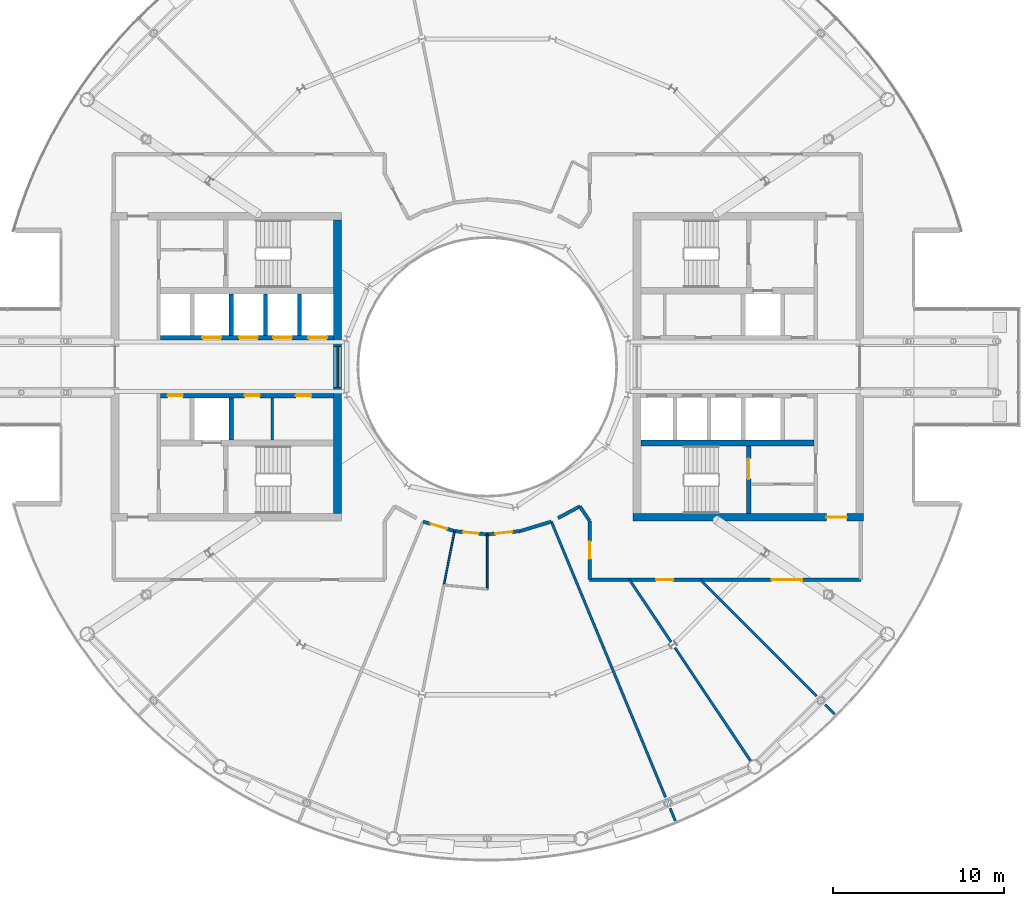
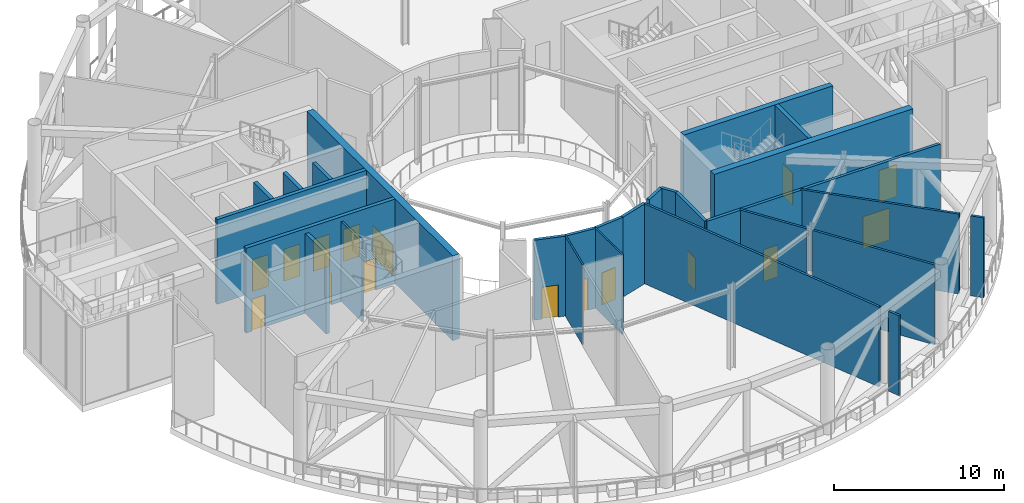
# One storey, part 13 of 24: 27 walls, 15 doors, 1 window, 16 openings.
"""IFC4 building model written with IfcOpenShell, lengths in metres."""

from ifc_helpers import new_model, si_unit, direction, frame, frame_2d, origin, place, context, subcontext, project, spatial, rectangle, extrude, material, layer, layer_set, type_object, element, fill, save


model = new_model("IFC4")

# Units and contexts
model_context = context("Model", 3, precision=1e-05, world=origin(), true_north=direction((0.0, 1.0)))
body_context = subcontext(model_context, "Body", "Model", "MODEL_VIEW")
ifc_project = project(units=[si_unit("LENGTHUNIT", "METRE"), si_unit("AREAUNIT", "SQUARE_METRE"), si_unit("VOLUMEUNIT", "CUBIC_METRE"), si_unit("PLANEANGLEUNIT", "RADIAN"), si_unit("MASSUNIT", "GRAM", prefix="KILO")], contexts=[model_context])

# Site, building, storey
site_placement = place(None, origin())
site = spatial("IfcSite", under=ifc_project, at=site_placement, CompositionType="ELEMENT")
building_placement = place(site_placement, origin())
building = spatial("IfcBuilding", under=site, at=building_placement, Name="Maasbend Ring Residences", CompositionType="ELEMENT")
storey_placement = place(building_placement, frame((0.0, 0.0, 221.85009765625)))
storey = spatial("IfcBuildingStorey", under=building, at=storey_placement, Name="L64", CompositionType="ELEMENT", Elevation=221.85009765625)

# Wall, opening, door
ifc_material_1 = material(Name="Concrete C50/60", Category="concrete")
ifc_layer_1 = layer(ifc_material_1, 0.25)
ifc_layer_set_1 = layer_set([ifc_layer_1], Name="Concrete C50/60")
wall_type_1 = type_object("IfcWallType", Name="CORE WALL 250 C50/60", PredefinedType="SHEAR", material=ifc_layer_set_1)
wall_1_placement = place(storey_placement, frame((15.324951171875, -8.60009765625, 0.0), z_axis=(0.0, 0.0, 1.0), x_axis=(0.0, 1.0, 0.0)))
wall_1 = element("IfcWall", 1, at=wall_1_placement, inside=storey, type_object=wall_type_1, Name="L64 core E wall STES", PredefinedType="SHEAR", context=body_context, shape_type="SweptSolid", body=[
    extrude(rectangle(XDim=3.9501953125, YDim=0.25, at=frame_2d((1.97509765625, 0.0))), origin(), (0.0, 0.0, 1.0), 6.099853515625),
])
opening_1_placement = place(wall_1_placement, frame((2.02490234375, 0.0, 0.0)))
opening_1 = element("IfcOpeningElement", 2, at=opening_1_placement, cuts=wall_1, Name="Opening D-E6412", PredefinedType="OPENING", context=body_context, shape_type="SweptSolid", body=[
    extrude(rectangle(XDim=1.199951171875, YDim=2.300048828125, at=frame_2d((0.60009765625, 1.14990234375))), frame((0.0, 0.135009765625, 0.0), z_axis=(0.0, -1.0, 0.0), x_axis=(1.0, 0.0, 0.0)), (0.0, 0.0, 1.0), 0.27001953125),
])
ifc_material_2 = material(Name="Steel, powder coated", Category="steel")
door_type_1 = type_object("IfcDoorType", Name="STAIR DOOR 1200 X 2300 FD60", OperationType="NOTDEFINED", PredefinedType="DOOR", material=ifc_material_2)
door_1_placement = place(opening_1_placement, origin())
door_1 = element("IfcDoor", 3, at=door_1_placement, inside=storey, type_object=door_type_1, Name="Stair door ST-E L64", OperationType="SINGLE_SWING_LEFT", OverallHeight=2.300048828125, OverallWidth=1.199951171875, PredefinedType="DOOR", context=body_context, shape_type="SweptSolid", body=[
    extrude(rectangle(XDim=1.199951171875, YDim=2.300048828125, at=frame_2d((0.60009765625, 1.14990234375))), frame((0.0, 0.02490234375, 0.0), z_axis=(0.0, -1.0, 0.0), x_axis=(1.0, 0.0, 0.0)), (0.0, 0.0, 1.0), 0.050048828125),
])
fill(opening_1, door_1)

# Wall, openings, doors
wall_2_placement = place(storey_placement, frame((-9.0, -1.699951171875, 0.0), z_axis=(0.0, 0.0, 1.0), x_axis=(-1.0, 0.0, 0.0)))
wall_2 = element("IfcWall", 4, at=wall_2_placement, inside=storey, type_object=wall_type_1, Name="L64 core W wall SPN", PredefinedType="SHEAR", context=body_context, shape_type="SweptSolid", body=[
    extrude(rectangle(XDim=10.14990234375, YDim=0.25, at=frame_2d((5.074951171875, 0.0))), origin(), (0.0, 0.0, 1.0), 6.099853515625),
])
opening_2_placement = place(wall_2_placement, frame((1.3125, 0.0, 0.0)))
opening_2 = element("IfcOpeningElement", 5, at=opening_2_placement, cuts=wall_2, Name="Opening D-W6406", PredefinedType="OPENING", context=body_context, shape_type="SweptSolid", body=[
    extrude(rectangle(XDim=0.89990234375, YDim=2.300048828125, at=frame_2d((0.449951171875, 1.14990234375))), frame((0.0, 0.135009765625, 0.0), z_axis=(0.0, -1.0, 0.0), x_axis=(1.0, 0.0, 0.0)), (0.0, 0.0, 1.0), 0.27001953125),
])
opening_3_placement = place(wall_2_placement, frame((4.324951171875, 0.0, 0.0)))
opening_3 = element("IfcOpeningElement", 6, at=opening_3_placement, cuts=wall_2, Name="Opening D-W6407", PredefinedType="OPENING", context=body_context, shape_type="SweptSolid", body=[
    extrude(rectangle(XDim=0.89990234375, YDim=2.300048828125, at=frame_2d((0.449951171875, 1.14990234375))), frame((0.0, 0.135009765625, 0.0), z_axis=(0.0, -1.0, 0.0), x_axis=(1.0, 0.0, 0.0)), (0.0, 0.0, 1.0), 0.27001953125),
])
opening_4_placement = place(wall_2_placement, frame((8.83740234375, 0.0, 0.0)))
opening_4 = element("IfcOpeningElement", 7, at=opening_4_placement, cuts=wall_2, Name="Opening D-W6408", PredefinedType="OPENING", context=body_context, shape_type="SweptSolid", body=[
    extrude(rectangle(XDim=0.89990234375, YDim=2.300048828125, at=frame_2d((0.449951171875, 1.14990234375))), frame((0.0, 0.135009765625, 0.0), z_axis=(0.0, -1.0, 0.0), x_axis=(1.0, 0.0, 0.0)), (0.0, 0.0, 1.0), 0.27001953125),
])
ifc_material_3 = material(Name="Steel, powder coated", Category="steel")
door_type_2 = type_object("IfcDoorType", Name="ROOM DOOR 900 X 2300 FD30S", OperationType="NOTDEFINED", PredefinedType="DOOR", material=ifc_material_3)
door_2_placement = place(opening_2_placement, origin())
door_2 = element("IfcDoor", 8, at=door_2_placement, inside=storey, type_object=door_type_2, Name="Room door L64", OperationType="SINGLE_SWING_RIGHT", OverallHeight=2.300048828125, OverallWidth=0.89990234375, PredefinedType="DOOR", context=body_context, shape_type="SweptSolid", body=[
    extrude(rectangle(XDim=0.89990234375, YDim=2.300048828125, at=frame_2d((0.449951171875, 1.14990234375))), frame((0.0, 0.02490234375, 0.0), z_axis=(0.0, -1.0, 0.0), x_axis=(1.0, 0.0, 0.0)), (0.0, 0.0, 1.0), 0.050048828125),
])
fill(opening_2, door_2)
door_3_placement = place(opening_3_placement, origin())
door_3 = element("IfcDoor", 9, at=door_3_placement, inside=storey, type_object=door_type_2, Name="Room door L64", OperationType="SINGLE_SWING_RIGHT", OverallHeight=2.300048828125, OverallWidth=0.89990234375, PredefinedType="DOOR", context=body_context, shape_type="SweptSolid", body=[
    extrude(rectangle(XDim=0.89990234375, YDim=2.300048828125, at=frame_2d((0.449951171875, 1.14990234375))), frame((0.0, 0.02490234375, 0.0), z_axis=(0.0, -1.0, 0.0), x_axis=(1.0, 0.0, 0.0)), (0.0, 0.0, 1.0), 0.050048828125),
])
fill(opening_3, door_3)
door_4_placement = place(opening_4_placement, origin())
door_4 = element("IfcDoor", 10, at=door_4_placement, inside=storey, type_object=door_type_2, Name="Room door L64", OperationType="SINGLE_SWING_LEFT", OverallHeight=2.300048828125, OverallWidth=0.89990234375, PredefinedType="DOOR", context=body_context, shape_type="SweptSolid", body=[
    extrude(rectangle(XDim=0.89990234375, YDim=2.300048828125, at=frame_2d((0.449951171875, 1.14990234375))), frame((0.0, 0.02490234375, 0.0), z_axis=(0.0, -1.0, 0.0), x_axis=(1.0, 0.0, 0.0)), (0.0, 0.0, 1.0), 0.050048828125),
])
fill(opening_4, door_4)

wall_3_placement = place(storey_placement, frame((-9.0, 1.699951171875, 0.0), z_axis=(0.0, 0.0, 1.0), x_axis=(-1.0, 0.0, 0.0)))
wall_3 = element("IfcWall", 11, at=wall_3_placement, inside=storey, type_object=wall_type_1, Name="L64 core W wall SPS", PredefinedType="SHEAR", context=body_context, shape_type="SweptSolid", body=[
    extrude(rectangle(XDim=10.14990234375, YDim=0.25, at=frame_2d((5.074951171875, 0.0))), origin(), (0.0, 0.0, 1.0), 6.099853515625),
])
opening_5_placement = place(wall_3_placement, frame((0.387451171875, 0.0, 0.0)))
opening_5 = element("IfcOpeningElement", 12, at=opening_5_placement, cuts=wall_3, Name="Opening LD-W6402", PredefinedType="OPENING", context=body_context, shape_type="SweptSolid", body=[
    extrude(rectangle(XDim=1.10009765625, YDim=2.300048828125, at=frame_2d((0.550048828125, 1.14990234375))), frame((0.0, 0.135009765625, 0.0), z_axis=(0.0, -1.0, 0.0), x_axis=(1.0, 0.0, 0.0)), (0.0, 0.0, 1.0), 0.27001953125),
])
opening_6_placement = place(wall_3_placement, frame((2.449951171875, 0.0, 0.0)))
opening_6 = element("IfcOpeningElement", 13, at=opening_6_placement, cuts=wall_3, Name="Opening LD-W6403", PredefinedType="OPENING", context=body_context, shape_type="SweptSolid", body=[
    extrude(rectangle(XDim=1.10009765625, YDim=2.300048828125, at=frame_2d((0.550048828125, 1.14990234375))), frame((0.0, 0.135009765625, 0.0), z_axis=(0.0, -1.0, 0.0), x_axis=(1.0, 0.0, 0.0)), (0.0, 0.0, 1.0), 0.27001953125),
])
opening_7_placement = place(wall_3_placement, frame((4.449951171875, 0.0, 0.0)))
opening_7 = element("IfcOpeningElement", 14, at=opening_7_placement, cuts=wall_3, Name="Opening LD-W6404", PredefinedType="OPENING", context=body_context, shape_type="SweptSolid", body=[
    extrude(rectangle(XDim=1.10009765625, YDim=2.300048828125, at=frame_2d((0.550048828125, 1.14990234375))), frame((0.0, 0.135009765625, 0.0), z_axis=(0.0, -1.0, 0.0), x_axis=(1.0, 0.0, 0.0)), (0.0, 0.0, 1.0), 0.27001953125),
])
opening_8_placement = place(wall_3_placement, frame((6.60009765625, 0.0, 0.0)))
opening_8 = element("IfcOpeningElement", 15, at=opening_8_placement, cuts=wall_3, Name="Opening LD-W6405", PredefinedType="OPENING", context=body_context, shape_type="SweptSolid", body=[
    extrude(rectangle(XDim=1.10009765625, YDim=2.300048828125, at=frame_2d((0.550048828125, 1.14990234375))), frame((0.0, 0.135009765625, 0.0), z_axis=(0.0, -1.0, 0.0), x_axis=(1.0, 0.0, 0.0)), (0.0, 0.0, 1.0), 0.27001953125),
])
ifc_material_4 = material(Name="Stainless steel 316", Category="steel")
door_type_3 = type_object("IfcDoorType", Name="LANDING DOOR 1100 X 2300 FD60", OperationType="DOUBLE_DOOR_SLIDING", PredefinedType="DOOR", material=ifc_material_4)
door_5_placement = place(opening_5_placement, origin())
door_5 = element("IfcDoor", 16, at=door_5_placement, inside=storey, type_object=door_type_3, Name="Landing door HR-W1 L64", OperationType="DOUBLE_DOOR_SLIDING", OverallHeight=2.300048828125, OverallWidth=1.10009765625, PredefinedType="DOOR", context=body_context, shape_type="SweptSolid", body=[
    extrude(rectangle(XDim=1.10009765625, YDim=2.300048828125, at=frame_2d((0.550048828125, 1.14990234375))), frame((0.0, 0.02490234375, 0.0), z_axis=(0.0, -1.0, 0.0), x_axis=(1.0, 0.0, 0.0)), (0.0, 0.0, 1.0), 0.050048828125),
])
fill(opening_5, door_5)
door_6_placement = place(opening_6_placement, origin())
door_6 = element("IfcDoor", 17, at=door_6_placement, inside=storey, type_object=door_type_3, Name="Landing door HR-W2 L64", OperationType="DOUBLE_DOOR_SLIDING", OverallHeight=2.300048828125, OverallWidth=1.10009765625, PredefinedType="DOOR", context=body_context, shape_type="SweptSolid", body=[
    extrude(rectangle(XDim=1.10009765625, YDim=2.300048828125, at=frame_2d((0.550048828125, 1.14990234375))), frame((0.0, 0.02490234375, 0.0), z_axis=(0.0, -1.0, 0.0), x_axis=(1.0, 0.0, 0.0)), (0.0, 0.0, 1.0), 0.050048828125),
])
fill(opening_6, door_6)
door_7_placement = place(opening_7_placement, origin())
door_7 = element("IfcDoor", 18, at=door_7_placement, inside=storey, type_object=door_type_3, Name="Landing door HR-W3 L64", OperationType="DOUBLE_DOOR_SLIDING", OverallHeight=2.300048828125, OverallWidth=1.10009765625, PredefinedType="DOOR", context=body_context, shape_type="SweptSolid", body=[
    extrude(rectangle(XDim=1.10009765625, YDim=2.300048828125, at=frame_2d((0.550048828125, 1.14990234375))), frame((0.0, 0.02490234375, 0.0), z_axis=(0.0, -1.0, 0.0), x_axis=(1.0, 0.0, 0.0)), (0.0, 0.0, 1.0), 0.050048828125),
])
fill(opening_7, door_7)
door_8_placement = place(opening_8_placement, origin())
door_8 = element("IfcDoor", 19, at=door_8_placement, inside=storey, type_object=door_type_3, Name="Landing door SV-W L64", OperationType="DOUBLE_DOOR_SLIDING", OverallHeight=2.300048828125, OverallWidth=1.10009765625, PredefinedType="DOOR", context=body_context, shape_type="SweptSolid", body=[
    extrude(rectangle(XDim=1.10009765625, YDim=2.300048828125, at=frame_2d((0.550048828125, 1.14990234375))), frame((0.0, 0.02490234375, 0.0), z_axis=(0.0, -1.0, 0.0), x_axis=(1.0, 0.0, 0.0)), (0.0, 0.0, 1.0), 0.050048828125),
])
fill(opening_8, door_8)

# Wall
ifc_material_5 = material(Name="Concrete C50/60", Category="concrete")
ifc_layer_2 = layer(ifc_material_5, 0.375)
ifc_layer_set_2 = layer_set([ifc_layer_2], Name="Concrete C50/60")
wall_type_2 = type_object("IfcWallType", Name="CORE WALL 375 C50/60", PredefinedType="SHEAR", material=ifc_layer_set_2)
wall_4_placement = place(storey_placement, frame((9.0, -4.46240234375, 0.0), z_axis=(0.0, 0.0, 1.0), x_axis=(1.0, 0.0, 0.0)))
element("IfcWall", 20, at=wall_4_placement, inside=storey, type_object=wall_type_2, Name="L64 core E wall BS", PredefinedType="SHEAR", context=body_context, shape_type="SweptSolid", body=[
    extrude(rectangle(XDim=10.14990234375, YDim=0.375, at=frame_2d((5.074951171875, 0.0))), origin(), (0.0, 0.0, 1.0), 6.099853515625),
])

# Wall, opening, door
ifc_material_6 = material(Name="Concrete C50/60", Category="concrete")
ifc_layer_3 = layer(ifc_material_6, 0.449951171875)
ifc_layer_set_3 = layer_set([ifc_layer_3], Name="Concrete C50/60")
wall_type_3 = type_object("IfcWallType", Name="CORE WALL 450 C50/60", PredefinedType="SHEAR", material=ifc_layer_set_3)
wall_5_placement = place(storey_placement, frame((8.550048828125, -8.824951171875, 0.0), z_axis=(0.0, 0.0, 1.0), x_axis=(1.0, 0.0, 0.0)))
wall_5 = element("IfcWall", 21, at=wall_5_placement, inside=storey, type_object=wall_type_3, Name="L64 core E wall PS", PredefinedType="SHEAR", context=body_context, shape_type="SweptSolid", body=[
    extrude(rectangle(XDim=13.5, YDim=0.449951171875, at=frame_2d((6.75, 0.0))), origin(), (0.0, 0.0, 1.0), 6.099853515625),
])
opening_9_placement = place(wall_5_placement, frame((11.324951171875, 0.0, 0.0)))
opening_9 = element("IfcOpeningElement", 22, at=opening_9_placement, cuts=wall_5, Name="Opening D-E6416", PredefinedType="OPENING", context=body_context, shape_type="SweptSolid", body=[
    extrude(rectangle(XDim=1.199951171875, YDim=2.300048828125, at=frame_2d((0.60009765625, 1.14990234375))), frame((0.0, 0.23486328125, 0.0), z_axis=(0.0, -1.0, 0.0), x_axis=(1.0, 0.0, 0.0)), (0.0, 0.0, 1.0), 0.469970703125),
])
ifc_material_7 = material(Name="Steel, powder coated", Category="steel")
door_type_4 = type_object("IfcDoorType", Name="CORRIDOR DOOR 1200 X 2300 FD30S", OperationType="NOTDEFINED", PredefinedType="DOOR", material=ifc_material_7)
door_9_placement = place(opening_9_placement, origin())
door_9 = element("IfcDoor", 23, at=door_9_placement, inside=storey, type_object=door_type_4, Name="Corridor door L64", OperationType="SINGLE_SWING_LEFT", OverallHeight=2.300048828125, OverallWidth=1.199951171875, PredefinedType="DOOR", context=body_context, shape_type="SweptSolid", body=[
    extrude(rectangle(XDim=1.199951171875, YDim=2.300048828125, at=frame_2d((0.60009765625, 1.14990234375))), frame((0.0, 0.02490234375, 0.0), z_axis=(0.0, -1.0, 0.0), x_axis=(1.0, 0.0, 0.0)), (0.0, 0.0, 1.0), 0.050048828125),
])
fill(opening_9, door_9)

# Wall, opening, window
wall_6_placement = place(storey_placement, frame((-8.77490234375, 8.60009765625, 0.0), z_axis=(0.0, 0.0, 1.0), x_axis=(0.0, -1.0, 0.0)))
wall_6 = element("IfcWall", 24, at=wall_6_placement, inside=storey, type_object=wall_type_3, Name="L64 core W wall PIN", PredefinedType="SHEAR", context=body_context, shape_type="SweptSolid", body=[
    extrude(rectangle(XDim=17.2001953125, YDim=0.449951171875, at=frame_2d((8.60009765625, 0.0))), origin(), (0.0, 0.0, 1.0), 6.099853515625),
])
opening_10_placement = place(wall_6_placement, frame((7.39990234375, 0.0, 0.10009765625)))
opening_10 = element("IfcOpeningElement", 25, at=opening_10_placement, cuts=wall_6, Name="Opening W-W6401", PredefinedType="OPENING", context=body_context, shape_type="SweptSolid", body=[
    extrude(rectangle(XDim=2.39990234375, YDim=2.199951171875, at=frame_2d((1.199951171875, 1.10009765625))), frame((0.0, 0.23486328125, 0.0), z_axis=(0.0, -1.0, 0.0), x_axis=(1.0, 0.0, 0.0)), (0.0, 0.0, 1.0), 0.469970703125),
])
ifc_material_8 = material(Name="Aluminium frame and clear glass", Category="aluminium")
window_type = type_object("IfcWindowType", Name="FIXED WINDOW 2400 X 2200", PartitioningType="SINGLE_PANEL", PredefinedType="WINDOW", material=ifc_material_8)
window_placement = place(opening_10_placement, origin())
window = element("IfcWindow", 26, at=window_placement, inside=storey, type_object=window_type, Name="Lobby window L64", OverallHeight=2.199951171875, OverallWidth=2.39990234375, PartitioningType="SINGLE_PANEL", PredefinedType="WINDOW", context=body_context, shape_type="SweptSolid", body=[
    extrude(rectangle(XDim=2.39990234375, YDim=2.199951171875, at=frame_2d((1.199951171875, 1.10009765625))), frame((0.0, 0.030029296875, 0.0), z_axis=(0.0, -1.0, 0.0), x_axis=(1.0, 0.0, 0.0)), (0.0, 0.0, 1.0), 0.06005859375),
])
fill(opening_10, window)

# Wall, openings, doors
ifc_material_9 = material(Name="Concrete C30/37", Category="concrete")
ifc_layer_4 = layer(ifc_material_9, 0.199951171875)
ifc_layer_set_4 = layer_set([ifc_layer_4], Name="Concrete C30/37")
wall_type_4 = type_object("IfcWallType", Name="CORRIDOR WALL 200 CONCRETE", PredefinedType="PARTITIONING", material=ifc_layer_set_4)
wall_7_placement = place(storey_placement, frame((6.0, -12.469970703125, 0.0), z_axis=(0.0, 0.0, 1.0), x_axis=(1.0, 0.0, 0.0)))
wall_7 = element("IfcWall", 27, at=wall_7_placement, inside=storey, type_object=wall_type_4, Name="U-L64-w005", PredefinedType="PARTITIONING", context=body_context, shape_type="SweptSolid", body=[
    extrude(rectangle(XDim=15.89990234375, YDim=0.199951171875, at=frame_2d((7.949951171875, 0.0))), origin(), (0.0, 0.0, 1.0), 5.75),
])
opening_11_placement = place(wall_7_placement, frame((3.90087890625, 0.0, 0.0)))
opening_11 = element("IfcOpeningElement", 28, at=opening_11_placement, cuts=wall_7, Name="Opening D-6409", PredefinedType="OPENING", context=body_context, shape_type="SweptSolid", body=[
    extrude(rectangle(XDim=1.0, YDim=2.300048828125, at=frame_2d((0.5, 1.14990234375))), frame((0.0, 0.10986328125, 0.0), z_axis=(0.0, -1.0, 0.0), x_axis=(1.0, 0.0, 0.0)), (0.0, 0.0, 1.0), 0.219970703125),
])
opening_12_placement = place(wall_7_placement, frame((10.669921875, 0.0, 0.0)))
opening_12 = element("IfcOpeningElement", 29, at=opening_12_placement, cuts=wall_7, Name="Opening D-6414", PredefinedType="OPENING", context=body_context, shape_type="SweptSolid", body=[
    extrude(rectangle(XDim=1.800048828125, YDim=2.300048828125, at=frame_2d((0.89990234375, 1.14990234375))), frame((0.0, 0.10986328125, 0.0), z_axis=(0.0, -1.0, 0.0), x_axis=(1.0, 0.0, 0.0)), (0.0, 0.0, 1.0), 0.219970703125),
])
ifc_material_10 = material(Name="Timber, painted", Category="wood")
door_type_5 = type_object("IfcDoorType", Name="DOUBLE DOOR 1800 X 2300", OperationType="NOTDEFINED", PredefinedType="DOOR", material=ifc_material_10)
door_10_placement = place(opening_12_placement, origin())
door_10 = element("IfcDoor", 30, at=door_10_placement, inside=storey, type_object=door_type_5, Name="D-6414", OperationType="DOUBLE_DOOR_SINGLE_SWING", OverallHeight=2.300048828125, OverallWidth=1.800048828125, PredefinedType="DOOR", context=body_context, shape_type="SweptSolid", body=[
    extrude(rectangle(XDim=1.800048828125, YDim=2.300048828125, at=frame_2d((0.89990234375, 1.14990234375))), frame((0.0, 0.02490234375, 0.0), z_axis=(0.0, -1.0, 0.0), x_axis=(1.0, 0.0, 0.0)), (0.0, 0.0, 1.0), 0.050048828125),
])
fill(opening_12, door_10)
ifc_material_11 = material(Name="Timber, painted", Category="wood")
door_type_6 = type_object("IfcDoorType", Name="ROOM DOOR 1000 X 2300", OperationType="NOTDEFINED", PredefinedType="DOOR", material=ifc_material_11)
door_11_placement = place(opening_11_placement, origin())
door_11 = element("IfcDoor", 31, at=door_11_placement, inside=storey, type_object=door_type_6, Name="D-6409", OperationType="SINGLE_SWING_LEFT", OverallHeight=2.300048828125, OverallWidth=1.0, PredefinedType="DOOR", context=body_context, shape_type="SweptSolid", body=[
    extrude(rectangle(XDim=1.0, YDim=2.300048828125, at=frame_2d((0.5, 1.14990234375))), frame((0.0, 0.02490234375, 0.0), z_axis=(0.0, -1.0, 0.0), x_axis=(1.0, 0.0, 0.0)), (0.0, 0.0, 1.0), 0.050048828125),
])
fill(opening_11, door_11)

# Wall, opening, door
wall_8_placement = place(storey_placement, frame((-3.758056640625, -9.072021484375, 0.0), z_axis=(0.0, 0.0, 1.0), x_axis=(0.956896312675, -0.29042976223, 0.0)))
wall_8 = element("IfcWall", 32, at=wall_8_placement, inside=storey, type_object=wall_type_4, Name="U-L64-w007", PredefinedType="PARTITIONING", context=body_context, shape_type="SweptSolid", body=[
    extrude(rectangle(XDim=1.925048828125, YDim=0.199951171875, at=frame_2d((0.96240234375, 0.0))), origin(), (0.0, 0.0, 1.0), 5.75),
])
opening_13_placement = place(wall_8_placement, frame((0.4619140625, 0.0, 0.0)))
opening_13 = element("IfcOpeningElement", 33, at=opening_13_placement, cuts=wall_8, Name="Opening D-6413", PredefinedType="OPENING", context=body_context, shape_type="SweptSolid", body=[
    extrude(rectangle(XDim=1.0, YDim=2.300048828125, at=frame_2d((0.5, 1.14990234375))), frame((0.0, 0.10986328125, 0.0), z_axis=(0.0, -1.0, 0.0), x_axis=(1.0, 0.0, 0.0)), (0.0, 0.0, 1.0), 0.219970703125),
])
door_12_placement = place(opening_13_placement, origin())
door_12 = element("IfcDoor", 34, at=door_12_placement, inside=storey, type_object=door_type_6, Name="D-6413", OperationType="SINGLE_SWING_LEFT", OverallHeight=2.300048828125, OverallWidth=1.0, PredefinedType="DOOR", context=body_context, shape_type="SweptSolid", body=[
    extrude(rectangle(XDim=1.0, YDim=2.300048828125, at=frame_2d((0.5, 1.14990234375))), frame((0.0, 0.02490234375, 0.0), z_axis=(0.0, -1.0, 0.0), x_axis=(1.0, 0.0, 0.0)), (0.0, 0.0, 1.0), 0.050048828125),
])
fill(opening_13, door_12)

wall_9_placement = place(storey_placement, frame((-1.916015625, -9.631103515625, 0.0), z_axis=(0.0, 0.0, 1.0), x_axis=(0.995171860647, -0.098147683504, 0.0)))
wall_9 = element("IfcWall", 35, at=wall_9_placement, inside=storey, type_object=wall_type_4, Name="U-L64-w008", PredefinedType="PARTITIONING", context=body_context, shape_type="SweptSolid", body=[
    extrude(rectangle(XDim=1.92529296875, YDim=0.199951171875, at=frame_2d((0.962646484375, 0.0))), origin(), (0.0, 0.0, 1.0), 5.75),
])
opening_14_placement = place(wall_9_placement, frame((0.512939453125, 0.0, 0.0)))
opening_14 = element("IfcOpeningElement", 36, at=opening_14_placement, cuts=wall_9, Name="Opening D-6406", PredefinedType="OPENING", context=body_context, shape_type="SweptSolid", body=[
    extrude(rectangle(XDim=0.89990234375, YDim=2.300048828125, at=frame_2d((0.449951171875, 1.14990234375))), frame((0.0, 0.10986328125, 0.0), z_axis=(0.0, -1.0, 0.0), x_axis=(1.0, 0.0, 0.0)), (0.0, 0.0, 1.0), 0.219970703125),
])
ifc_material_12 = material(Name="Timber, painted", Category="wood")
door_type_7 = type_object("IfcDoorType", Name="INTERNAL DOOR 900 X 2300", OperationType="NOTDEFINED", PredefinedType="DOOR", material=ifc_material_12)
door_13_placement = place(opening_14_placement, origin())
door_13 = element("IfcDoor", 37, at=door_13_placement, inside=storey, type_object=door_type_7, Name="D-6406", OperationType="SINGLE_SWING_RIGHT", OverallHeight=2.300048828125, OverallWidth=0.89990234375, PredefinedType="DOOR", context=body_context, shape_type="SweptSolid", body=[
    extrude(rectangle(XDim=0.89990234375, YDim=2.300048828125, at=frame_2d((0.449951171875, 1.14990234375))), frame((0.0, 0.02490234375, 0.0), z_axis=(0.0, -1.0, 0.0), x_axis=(1.0, 0.0, 0.0)), (0.0, 0.0, 1.0), 0.050048828125),
])
fill(opening_14, door_13)

wall_10_placement = place(storey_placement, frame((0.0, -9.820068359375, 0.0), z_axis=(0.0, 0.0, 1.0), x_axis=(0.995171860647, 0.098147683504, 0.0)))
wall_10 = element("IfcWall", 38, at=wall_10_placement, inside=storey, type_object=wall_type_4, Name="U-L64-w009", PredefinedType="PARTITIONING", context=body_context, shape_type="SweptSolid", body=[
    extrude(rectangle(XDim=1.92529296875, YDim=0.199951171875, at=frame_2d((0.962646484375, 0.0))), origin(), (0.0, 0.0, 1.0), 5.75),
])
opening_15_placement = place(wall_10_placement, frame((0.462890625, 0.0, 0.0)))
opening_15 = element("IfcOpeningElement", 39, at=opening_15_placement, cuts=wall_10, Name="Opening D-6407", PredefinedType="OPENING", context=body_context, shape_type="SweptSolid", body=[
    extrude(rectangle(XDim=1.0, YDim=2.300048828125, at=frame_2d((0.5, 1.14990234375))), frame((0.0, 0.10986328125, 0.0), z_axis=(0.0, -1.0, 0.0), x_axis=(1.0, 0.0, 0.0)), (0.0, 0.0, 1.0), 0.219970703125),
])
door_14_placement = place(opening_15_placement, origin())
door_14 = element("IfcDoor", 40, at=door_14_placement, inside=storey, type_object=door_type_6, Name="D-6407", OperationType="SINGLE_SWING_LEFT", OverallHeight=2.300048828125, OverallWidth=1.0, PredefinedType="DOOR", context=body_context, shape_type="SweptSolid", body=[
    extrude(rectangle(XDim=1.0, YDim=2.300048828125, at=frame_2d((0.5, 1.14990234375))), frame((0.0, 0.02490234375, 0.0), z_axis=(0.0, -1.0, 0.0), x_axis=(1.0, 0.0, 0.0)), (0.0, 0.0, 1.0), 0.050048828125),
])
fill(opening_15, door_14)

# Walls
wall_11_placement = place(storey_placement, frame((1.916015625, -9.631103515625, 0.0), z_axis=(0.0, 0.0, 1.0), x_axis=(0.956896312675, 0.29042976223, 0.0)))
element("IfcWall", 41, at=wall_11_placement, inside=storey, type_object=wall_type_4, Name="U-L64-w010", PredefinedType="PARTITIONING", context=body_context, shape_type="SweptSolid", body=[
    extrude(rectangle(XDim=1.925048828125, YDim=0.199951171875, at=frame_2d((0.96240234375, 0.0))), origin(), (0.0, 0.0, 1.0), 5.75),
])
wall_12_placement = place(storey_placement, frame((4.15087890625, -8.862060546875, 0.0), z_axis=(0.0, 0.0, 1.0), x_axis=(0.88193287619, 0.471375011954, 0.0)))
element("IfcWall", 42, at=wall_12_placement, inside=storey, type_object=wall_type_4, Name="U-L64-w011", PredefinedType="PARTITIONING", context=body_context, shape_type="SweptSolid", body=[
    extrude(rectangle(XDim=1.44921875, YDim=0.199951171875, at=frame_2d((0.724609375, 0.0))), origin(), (0.0, 0.0, 1.0), 5.75),
])

# Wall, opening, door
wall_13_placement = place(storey_placement, frame((6.0, -12.469970703125, 0.0), z_axis=(0.0, 0.0, 1.0), x_axis=(0.0, 1.0, 0.0)))
wall_13 = element("IfcWall", 43, at=wall_13_placement, inside=storey, type_object=wall_type_4, Name="U-L64-w012", PredefinedType="PARTITIONING", context=body_context, shape_type="SweptSolid", body=[
    extrude(rectangle(XDim=3.43603515625, YDim=0.199951171875, at=frame_2d((1.718017578125, 0.0))), origin(), (0.0, 0.0, 1.0), 5.75),
])
opening_16_placement = place(wall_13_placement, frame((1.218017578125, 0.0, 0.0)))
opening_16 = element("IfcOpeningElement", 44, at=opening_16_placement, cuts=wall_13, Name="Opening D-6408", PredefinedType="OPENING", context=body_context, shape_type="SweptSolid", body=[
    extrude(rectangle(XDim=1.0, YDim=2.300048828125, at=frame_2d((0.5, 1.14990234375))), frame((0.0, 0.10986328125, 0.0), z_axis=(0.0, -1.0, 0.0), x_axis=(1.0, 0.0, 0.0)), (0.0, 0.0, 1.0), 0.219970703125),
])
door_15_placement = place(opening_16_placement, origin())
door_15 = element("IfcDoor", 45, at=door_15_placement, inside=storey, type_object=door_type_6, Name="D-6408", OperationType="SINGLE_SWING_LEFT", OverallHeight=2.300048828125, OverallWidth=1.0, PredefinedType="DOOR", context=body_context, shape_type="SweptSolid", body=[
    extrude(rectangle(XDim=1.0, YDim=2.300048828125, at=frame_2d((0.5, 1.14990234375))), frame((0.0, 0.02490234375, 0.0), z_axis=(0.0, -1.0, 0.0), x_axis=(1.0, 0.0, 0.0)), (0.0, 0.0, 1.0), 0.050048828125),
])
fill(opening_16, door_15)

# Walls
wall_14_placement = place(storey_placement, frame((5.428955078125, -8.178955078125, 0.0), z_axis=(0.0, 0.0, 1.0), x_axis=(0.555412364489, -0.831575075007, 0.0)))
element("IfcWall", 46, at=wall_14_placement, inside=storey, type_object=wall_type_4, Name="U-L64-w015", PredefinedType="PARTITIONING", context=body_context, shape_type="SweptSolid", body=[
    extrude(rectangle(XDim=1.028076171875, YDim=0.199951171875, at=frame_2d((0.51416015625, 0.0))), origin(), (0.0, 0.0, 1.0), 5.75),
])
ifc_material_13 = material(Name="Gypsum board on steel studs", Category="steel")
ifc_layer_5 = layer(ifc_material_13, 0.10009765625)
ifc_layer_set_5 = layer_set([ifc_layer_5], Name="PARTITION 100 GYPSUM")
wall_type_5 = type_object("IfcWallType", Name="PARTITION 100 GYPSUM", PredefinedType="PARTITIONING", material=ifc_layer_set_5)
wall_15_placement = place(storey_placement, frame((-2.54296875, -12.784912109375, 0.0), z_axis=(0.0, 0.0, 1.0), x_axis=(0.194977117829, 0.980807791325, 0.0)))
element("IfcWall", 47, at=wall_15_placement, inside=storey, type_object=wall_type_5, Name="U-L64-w028", PredefinedType="PARTITIONING", context=body_context, shape_type="SweptSolid", body=[
    extrude(rectangle(XDim=3.215576171875, YDim=0.10009765625, at=frame_2d((1.60791015625, 0.0))), origin(), (0.0, 0.0, 1.0), 5.75),
])
wall_16_placement = place(storey_placement, frame((0.0, -13.034912109375, 0.0), z_axis=(0.0, 0.0, 1.0), x_axis=(0.0, 1.0, 0.0)))
element("IfcWall", 48, at=wall_16_placement, inside=storey, type_object=wall_type_5, Name="U-L64-w029", PredefinedType="PARTITIONING", context=body_context, shape_type="SweptSolid", body=[
    extrude(rectangle(XDim=3.21484375, YDim=0.10009765625, at=frame_2d((1.607421875, 0.0))), origin(), (0.0, 0.0, 1.0), 5.75),
])
ifc_material_14 = material(Name="Gypsum board on steel studs", Category="steel")
ifc_layer_6 = layer(ifc_material_14, 0.14990234375)
ifc_layer_set_6 = layer_set([ifc_layer_6], Name="PARTITION 150 EI 60")
wall_type_6 = type_object("IfcWallType", Name="PARTITION 150 EI 60", PredefinedType="PARTITIONING", material=ifc_layer_set_6)
wall_17_placement = place(storey_placement, frame((-12.60009765625, -1.824951171875, 0.0), z_axis=(0.0, 0.0, 1.0), x_axis=(0.0, -1.0, 0.0)))
element("IfcWall", 49, at=wall_17_placement, inside=storey, type_object=wall_type_6, Name="L64 core W wall PRN1260", PredefinedType="PARTITIONING", context=body_context, shape_type="SweptSolid", body=[
    extrude(rectangle(XDim=2.449951171875, YDim=0.14990234375, at=frame_2d((1.22509765625, 0.0))), origin(), (0.0, 0.0, 1.0), 5.75),
])
ifc_material_15 = material(Name="Gypsum board on steel studs", Category="steel")
ifc_layer_7 = layer(ifc_material_15, 0.14990234375)
ifc_layer_set_7 = layer_set([ifc_layer_7], Name="PARTITION 150 GYPSUM")
wall_type_7 = type_object("IfcWallType", Name="PARTITION 150 GYPSUM", PredefinedType="PARTITIONING", material=ifc_layer_set_7)
wall_18_placement = place(storey_placement, frame((3.758056640625, -9.072021484375, 0.0), z_axis=(0.0, 0.0, 1.0), x_axis=(0.382637007118, -0.923898761112, 0.0)))
element("IfcWall", 50, at=wall_18_placement, inside=storey, type_object=wall_type_7, Name="U-L64-w031", PredefinedType="PARTITIONING", context=body_context, shape_type="SweptSolid", body=[
    extrude(rectangle(XDim=17.48876953125, YDim=0.14990234375, at=frame_2d((8.744384765625, 0.0))), origin(), (0.0, 0.0, 1.0), 5.75),
])
wall_19_placement = place(storey_placement, frame((8.33203125, -12.469970703125, 0.0), z_axis=(0.0, 0.0, 1.0), x_axis=(0.555531636289, -0.831495400518, 0.0)))
element("IfcWall", 51, at=wall_19_placement, inside=storey, type_object=wall_type_7, Name="U-L64-w032", PredefinedType="PARTITIONING", context=body_context, shape_type="SweptSolid", body=[
    extrude(rectangle(XDim=4.403076171875, YDim=0.14990234375, at=frame_2d((2.20166015625, 0.0))), origin(), (0.0, 0.0, 1.0), 5.75),
])
wall_20_placement = place(storey_placement, frame((10.718017578125, -25.8759765625, 0.0), z_axis=(0.0, 0.0, 1.0), x_axis=(0.382469748433, -0.923968014345, 0.0)))
element("IfcWall", 52, at=wall_20_placement, inside=storey, type_object=wall_type_7, Name="U-L64-w033", PredefinedType="PARTITIONING", context=body_context, shape_type="SweptSolid", body=[
    extrude(rectangle(XDim=0.792236328125, YDim=0.14990234375, at=frame_2d((0.39599609375, 0.0))), origin(), (0.0, 0.0, 1.0), 5.75),
])
wall_21_placement = place(storey_placement, frame((11.0, -16.462890625, 0.0), z_axis=(0.0, 0.0, 1.0), x_axis=(0.555537830231, -0.831491262241, 0.0)))
element("IfcWall", 53, at=wall_21_placement, inside=storey, type_object=wall_type_7, Name="U-L64-w034", PredefinedType="PARTITIONING", context=body_context, shape_type="SweptSolid", body=[
    extrude(rectangle(XDim=8.00146484375, YDim=0.14990234375, at=frame_2d((4.000732421875, 0.0))), origin(), (0.0, 0.0, 1.0), 5.75),
])
wall_22_placement = place(storey_placement, frame((12.469970703125, -12.469970703125, 0.0), z_axis=(0.0, 0.0, 1.0), x_axis=(0.707106781187, -0.707106781187, 0.0)))
element("IfcWall", 54, at=wall_22_placement, inside=storey, type_object=wall_type_7, Name="U-L64-w035", PredefinedType="PARTITIONING", context=body_context, shape_type="SweptSolid", body=[
    extrude(rectangle(XDim=9.67333984375, YDim=0.14990234375, at=frame_2d((4.836669921875, 0.0))), origin(), (0.0, 0.0, 1.0), 5.75),
])
wall_23_placement = place(storey_placement, frame((19.804931640625, -19.804931640625, 0.0), z_axis=(0.0, 0.0, 1.0), x_axis=(0.707106781187, -0.707106781187, 0.0)))
element("IfcWall", 55, at=wall_23_placement, inside=storey, type_object=wall_type_7, Name="U-L64-w037", PredefinedType="PARTITIONING", context=body_context, shape_type="SweptSolid", body=[
    extrude(rectangle(XDim=0.7919921875, YDim=0.14990234375, at=frame_2d((0.39599609375, 0.0))), origin(), (0.0, 0.0, 1.0), 5.75),
])
ifc_material_16 = material(Name="Concrete C30/37", Category="concrete")
ifc_layer_8 = layer(ifc_material_16, 0.25)
ifc_layer_set_8 = layer_set([ifc_layer_8], Name="Concrete C30/37")
wall_type_8 = type_object("IfcWallType", Name="SHAFT WALL 250 EI 120", PredefinedType="SOLIDWALL", material=ifc_layer_set_8)
for number, where, z_axis, x_axis, name in (
    (56, (-15.0, -1.824951171875, 0.0), (0.0, 0.0, 1.0), (0.0, -1.0, 0.0), "L64 core W wall D150N"),
    (57, (-15.0, 1.824951171875, 0.0), (0.0, 0.0, 1.0), (0.0, 1.0, 0.0), "L64 core W wall D150S"),
    (58, (-11.0, 1.824951171875, 0.0), (0.0, 0.0, 1.0), (0.0, 1.0, 0.0), "L64 core W wall D110S"),
    (59, (-13.0, 1.824951171875, 0.0), (0.0, 0.0, 1.0), (0.0, 1.0, 0.0), "L64 core W wall D130S"),
):
    element("IfcWall", number, at=place(storey_placement, frame(where, z_axis=z_axis, x_axis=x_axis)), inside=storey, type_object=wall_type_8, Name=name, PredefinedType="SOLIDWALL", context=body_context, shape_type="SweptSolid", body=[
        extrude(rectangle(XDim=2.449951171875, YDim=0.25, at=frame_2d((1.22509765625, 0.0))), origin(), (0.0, 0.0, 1.0), 5.75),
    ])

save(model, "model.ifc")
